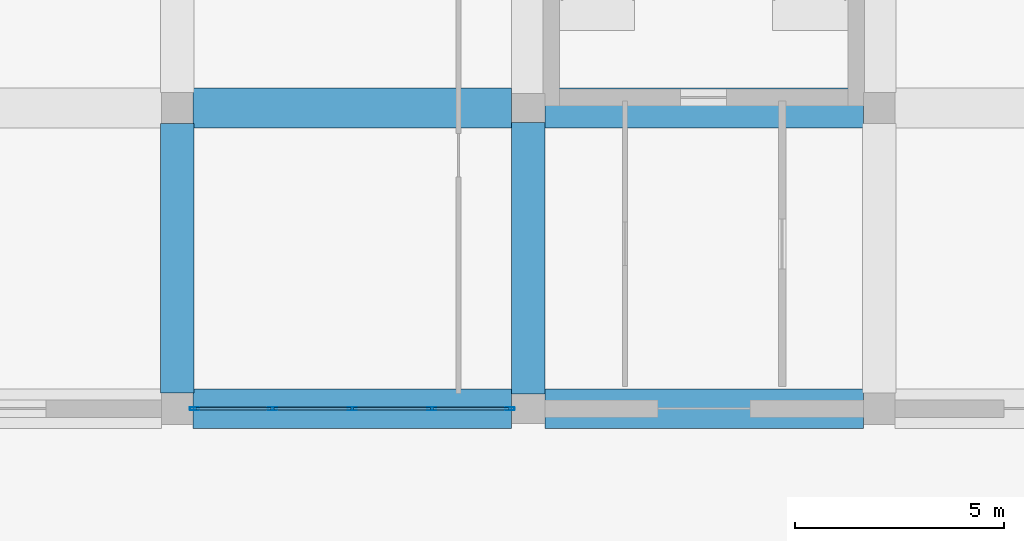
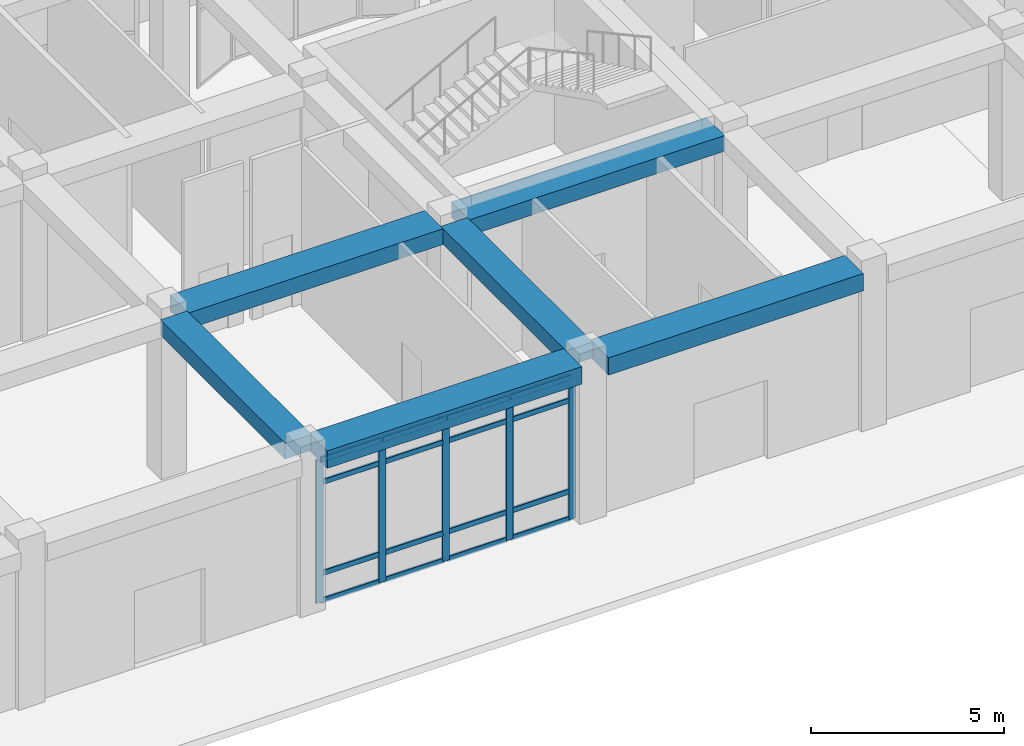
# One storey, part 8 of 84: 21 members, 6 beams, 1 element without a shape of its own.
"""IFC4 building model written with IfcOpenShell, lengths in metres."""

import ifcopenshell
import ifcopenshell.guid

model = None  # the IFC model being written
_history = None  # IfcOwnerHistory: only IFC2X3 demands one
_inside = {}  # id of a spatial element -> (the spatial element, [elements in it])
_under = {}  # id of a project, library or spatial element -> (it, [spatial elements below it])
_declared = {}  # id of a project -> (the project, [libraries it declares])
_typed = {}  # id of a type object -> (the type object, [elements of that type])
_made_of = {}  # id of a material, layer set ... -> (it, [elements and type objects made of it])


def new_model(schema):
    """Start an empty IFC model of exactly this schema.

    Asked for "IFC4X3", IfcOpenShell would pick the latest addendum, in which some entities
    have other attributes; the version numbers below select the first issue.
    IFC2X3 requires an IfcOwnerHistory on every rooted entity: one is made here for all.
    """
    global model, _history
    if schema == "IFC4X3":
        model = ifcopenshell.file(schema_version=(4, 3, 0, 0))
    else:
        model = ifcopenshell.file(schema=schema)
    _inside.clear()
    _under.clear()
    _declared.clear()
    _typed.clear()
    _made_of.clear()
    _history = None
    if model.schema == "IFC2X3":
        org = make("IfcOrganization", Name="unknown")
        user = make(
            "IfcPersonAndOrganization",
            ThePerson=make("IfcPerson", FamilyName="unknown"),
            TheOrganization=org,
        )
        app = make(
            "IfcApplication",
            ApplicationDeveloper=org,
            Version="unknown",
            ApplicationFullName="unknown",
            ApplicationIdentifier="unknown",
        )
        _history = make(
            "IfcOwnerHistory",
            OwningUser=user,
            OwningApplication=app,
            ChangeAction="ADDED",
            CreationDate=0,
        )
    return model


def make(cls, **values):
    """One entity of the class cls with the attributes given. An attribute that is None is left unset."""
    return model.create_entity(
        cls, **{name: value for name, value in values.items() if value is not None}
    )


def rooted(cls, **values):
    """An entity with a GlobalId (a new one), such as an element, a storey or a relation."""
    return make(cls, GlobalId=ifcopenshell.guid.new(), OwnerHistory=_history, **values)


def si_unit(unit_type, name, prefix=None):
    """IfcSIUnit, for example si_unit("LENGTHUNIT", "METRE", prefix="MILLI")."""
    return make("IfcSIUnit", UnitType=unit_type, Prefix=prefix, Name=name)


def derived_unit(unit_type, elements):
    """IfcDerivedUnit: a product of units, each with its exponent."""
    return make(
        "IfcDerivedUnit",
        Elements=[
            make("IfcDerivedUnitElement", Unit=unit, Exponent=power)
            for unit, power in elements
        ],
        UnitType=unit_type,
    )


def assignment(units):
    """IfcUnitAssignment: the units of a project."""
    return None if units is None else make("IfcUnitAssignment", Units=units)


def point(xyz):
    """IfcCartesianPoint."""
    return None if xyz is None else make("IfcCartesianPoint", Coordinates=xyz)


def direction(xyz):
    """IfcDirection."""
    return None if xyz is None else make("IfcDirection", DirectionRatios=xyz)


def frame(location, z_axis=None, x_axis=None):
    """IfcAxis2Placement3D, a coordinate frame: its origin and axes. An axis left out is left unset."""
    return make(
        "IfcAxis2Placement3D",
        Location=point(location),
        Axis=direction(z_axis),
        RefDirection=direction(x_axis),
    )


def frame_2d(location, x_axis=None):
    """IfcAxis2Placement2D, a coordinate frame in the plane: its origin and x axis."""
    return make(
        "IfcAxis2Placement2D", Location=point(location), RefDirection=direction(x_axis)
    )


def origin():
    """The frame at (0, 0, 0) with its axes left unset."""
    return frame((0.0, 0.0, 0.0))


def origin_2d():
    """The frame at (0, 0) in the plane with its x axis left unset."""
    return frame_2d((0.0, 0.0))


def place(relative_to, where):
    """IfcLocalPlacement: puts the frame where relative to a parent placement (None: the world)."""
    return make(
        "IfcLocalPlacement", PlacementRelTo=relative_to, RelativePlacement=where
    )


def context(
    kind, dimensions, precision=None, world=None, true_north=None, identifier=None
):
    """IfcGeometricRepresentationContext, for example the 3D "Model" context."""
    return make(
        "IfcGeometricRepresentationContext",
        ContextIdentifier=identifier,
        ContextType=kind,
        CoordinateSpaceDimension=dimensions,
        Precision=precision,
        WorldCoordinateSystem=world,
        TrueNorth=true_north,
    )


def subcontext(parent, identifier, kind, view, scale=None):
    """IfcGeometricRepresentationSubContext, for example "Body" below "Model"."""
    return make(
        "IfcGeometricRepresentationSubContext",
        ContextIdentifier=identifier,
        ContextType=kind,
        ParentContext=parent,
        TargetScale=scale,
        TargetView=view,
    )


def project(units=None, contexts=None):
    """IfcProject with its units and contexts."""
    return rooted(
        "IfcProject",
        Name="project",
        RepresentationContexts=contexts,
        UnitsInContext=assignment(units),
    )


def spatial(cls, under=None, at=None, **own):
    """A site, building, storey or space (cls), placed at a placement, below another one or the project."""
    s = rooted(cls, ObjectPlacement=at, **own)
    if under is not None:
        _under.setdefault(under.id(), (under, []))[1].append(s)
    return s


def profile(cls, at=None, kind="AREA", **sizes):
    """A parametric profile (cls). Its sizes go by their IFC names, for example OverallWidth=200.0."""
    return make(cls, ProfileType=kind, Position=at, **sizes)


def rectangle(**sizes):
    """IfcRectangleProfileDef."""
    return profile("IfcRectangleProfileDef", **sizes)


def hollow_rectangle(**sizes):
    """IfcRectangleHollowProfileDef."""
    return profile("IfcRectangleHollowProfileDef", **sizes)


def extrude(swept, where, along, depth):
    """IfcExtrudedAreaSolid: the profile swept, set in the frame where, extruded along a direction by depth."""
    return make(
        "IfcExtrudedAreaSolid",
        SweptArea=swept,
        Position=where,
        ExtrudedDirection=direction(along),
        Depth=depth,
    )


def shape(context_of_items, identifier, shape_type, items):
    """IfcShapeRepresentation: the items that make up one representation, for example the "Body"."""
    return make(
        "IfcShapeRepresentation",
        ContextOfItems=context_of_items,
        RepresentationIdentifier=identifier,
        RepresentationType=shape_type,
        Items=items,
    )


def material(Name=None, Category=None):
    """IfcMaterial."""
    return make("IfcMaterial", Name=Name, Category=Category)


def material_profile(
    of_material, cross_section, Name=None, Category=None, Priority=None
):
    """IfcMaterialProfile: a cross section and its material."""
    return make(
        "IfcMaterialProfile",
        Name=Name,
        Material=of_material,
        Profile=cross_section,
        Priority=Priority,
        Category=Category,
    )


def profile_set(profiles, Name=None, composite=None):
    """IfcMaterialProfileSet."""
    return make(
        "IfcMaterialProfileSet",
        Name=Name,
        MaterialProfiles=profiles,
        CompositeProfile=composite,
    )


def made_of(thing, what):
    """Note that an element or type object is made of a material, layer set ...; save() writes the relation."""
    if what is not None:
        _made_of.setdefault(what.id(), (what, []))[1].append(thing)
    return thing


def type_object(cls, material=None, **own):
    """A type object (cls), such as IfcWallType, which elements share."""
    return made_of(rooted(cls, **own), material)


def element(
    cls,
    number,
    at=None,
    inside=None,
    cuts=None,
    type_object=None,
    material=None,
    context=None,
    identifier="Body",
    shape_type=None,
    held_by="IfcProductDefinitionShape",
    body=None,
    shapes=None,
    **own,
):
    """One element of the class cls, such as IfcWall. Its Tag is "e" and its number.

    at: its placement. inside: the storey or other place that contains it. cuts: it is an
    opening in that element (IfcRelVoidsElement). A single representation is given by context,
    identifier, shape_type and body (its items); several are given by shapes. held_by: the class
    of the entity that holds the representations. save() writes the other relations.
    """
    e = rooted(cls, Tag="e%d" % number, ObjectPlacement=at, **own)
    if body is not None:
        shapes = [shape(context, identifier, shape_type, body)]
    if shapes is not None:
        e.Representation = make(held_by, Representations=shapes)
    if inside is not None:
        _inside.setdefault(inside.id(), (inside, []))[1].append(e)
    if cuts is not None:
        rooted(
            "IfcRelVoidsElement", RelatingBuildingElement=cuts, RelatedOpeningElement=e
        )
    if type_object is not None:
        _typed.setdefault(type_object.id(), (type_object, []))[1].append(e)
    return made_of(e, material)


def aggregate(whole, parts):
    """IfcRelAggregates: a whole, such as a stair, and the parts it consists of."""
    return rooted("IfcRelAggregates", RelatingObject=whole, RelatedObjects=parts)


def save(model, path):
    """Write the relations noted so far, then the file.

    IfcRelAggregates (storeys below a building ...), IfcRelContainedInSpatialStructure (elements
    in a storey), IfcRelDefinesByType, IfcRelAssociatesMaterial and IfcRelDeclares: one each for
    every whole, place, type object, material and project.
    """
    for whole, parts in _under.values():
        aggregate(whole, parts)
    for where, things in _inside.values():
        rooted(
            "IfcRelContainedInSpatialStructure",
            RelatedElements=things,
            RelatingStructure=where,
        )
    for kind, things in _typed.values():
        rooted("IfcRelDefinesByType", RelatedObjects=things, RelatingType=kind)
    for what, things in _made_of.values():
        rooted("IfcRelAssociatesMaterial", RelatedObjects=things, RelatingMaterial=what)
    for by, libraries in _declared.values():
        rooted("IfcRelDeclares", RelatingContext=by, RelatedDefinitions=libraries)
    model.write(path)


model = new_model("IFC4")

# Units and contexts
model_context = context("Model", 3, precision=1e-05, world=origin(), true_north=direction((0.0, 1.0)))
body_context = subcontext(model_context, "Body", "Model", "MODEL_VIEW")
ifc_project = project(units=[si_unit("LENGTHUNIT", "METRE"), si_unit("AREAUNIT", "SQUARE_METRE"), si_unit("VOLUMEUNIT", "CUBIC_METRE"), si_unit("PLANEANGLEUNIT", "RADIAN"), si_unit("MASSUNIT", "GRAM", prefix="KILO"), derived_unit("THERMALTRANSMITTANCEUNIT", [(si_unit("POWERUNIT", "WATT"), 1), (si_unit("LENGTHUNIT", "METRE"), -2), (si_unit("THERMODYNAMICTEMPERATUREUNIT", "KELVIN"), -1)])], contexts=[model_context])

# Site, building, storey
site_placement = place(None, origin())
site = spatial("IfcSite", under=ifc_project, at=site_placement, CompositionType="ELEMENT")
building_placement = place(site_placement, origin())
building = spatial("IfcBuilding", under=site, at=building_placement, Name="Veybourne Emporium", CompositionType="ELEMENT")
storey_placement = place(building_placement, origin())
storey = spatial("IfcBuildingStorey", under=building, at=storey_placement, Name="L00", CompositionType="ELEMENT", Elevation=0.0)

# Curtain wall, members
ifc_material_1 = material(Name="Patinated Architectural Bronze", Category="bronze")
curtain_wall_type = type_object("IfcCurtainWallType", Name="CWSystem_CWS-04", PredefinedType="NOTDEFINED", material=ifc_material_1)
curtain_wall_placement = place(storey_placement, origin())
curtain_wall = element("IfcCurtainWall", 1, at=curtain_wall_placement, inside=storey, type_object=curtain_wall_type, Name="L00 bronze glazed curtain wall CWS-04 (033)", PredefinedType="NOTDEFINED")
ifc_material_profile_1 = material_profile(ifc_material_1, hollow_rectangle(XDim=0.070068359375, YDim=0.219970703125, WallThickness=0.0048828125, InnerFilletRadius=0.007568359375, OuterFilletRadius=0.012451171875, at=origin_2d()), Name="CWM 70x220x5")
ifc_profile_set_1 = profile_set([ifc_material_profile_1], Name="Patinated Architectural Bronze")
member_type_1 = type_object("IfcMemberType", Name="CWMullion_CW-M4", PredefinedType="MULLION", material=ifc_profile_set_1)
member_1_placement = place(storey_placement, frame((75.1650390625, 0.0, 0.0), z_axis=(0.0, 0.0, 1.0), x_axis=(0.0, -1.0, 0.0)))
member_1 = element("IfcMember", 2, at=member_1_placement, type_object=member_type_1, Name="CWS-04 mullion 1", PredefinedType="MULLION", context=body_context, shape_type="SweptSolid", body=[
    extrude(hollow_rectangle(XDim=0.070068359375, YDim=0.219970703125, WallThickness=0.0048828125, InnerFilletRadius=0.007568359375, OuterFilletRadius=0.012451171875, at=origin_2d()), origin(), (0.0, 0.0, 1.0), 4.530029296875),
])
member_2_placement = place(storey_placement, frame((73.293701171875, 0.0, 0.0), z_axis=(0.0, 0.0, 1.0), x_axis=(0.0, -1.0, 0.0)))
member_2 = element("IfcMember", 3, at=member_2_placement, type_object=member_type_1, Name="CWS-04 mullion 2", PredefinedType="MULLION", context=body_context, shape_type="SweptSolid", body=[
    extrude(hollow_rectangle(XDim=0.070068359375, YDim=0.219970703125, WallThickness=0.0048828125, InnerFilletRadius=0.007568359375, OuterFilletRadius=0.012451171875, at=origin_2d()), origin(), (0.0, 0.0, 1.0), 4.530029296875),
])
member_3_placement = place(storey_placement, frame((71.387451171875, 0.0, 0.0), z_axis=(0.0, 0.0, 1.0), x_axis=(0.0, -1.0, 0.0)))
member_3 = element("IfcMember", 4, at=member_3_placement, type_object=member_type_1, Name="CWS-04 mullion 3", PredefinedType="MULLION", context=body_context, shape_type="SweptSolid", body=[
    extrude(hollow_rectangle(XDim=0.070068359375, YDim=0.219970703125, WallThickness=0.0048828125, InnerFilletRadius=0.007568359375, OuterFilletRadius=0.012451171875, at=origin_2d()), origin(), (0.0, 0.0, 1.0), 4.530029296875),
])
member_4_placement = place(storey_placement, frame((69.481201171875, 0.0, 0.0), z_axis=(0.0, 0.0, 1.0), x_axis=(0.0, -1.0, 0.0)))
member_4 = element("IfcMember", 5, at=member_4_placement, type_object=member_type_1, Name="CWS-04 mullion 4", PredefinedType="MULLION", context=body_context, shape_type="SweptSolid", body=[
    extrude(hollow_rectangle(XDim=0.070068359375, YDim=0.219970703125, WallThickness=0.0048828125, InnerFilletRadius=0.007568359375, OuterFilletRadius=0.012451171875, at=origin_2d()), origin(), (0.0, 0.0, 1.0), 4.530029296875),
])
member_5_placement = place(storey_placement, frame((67.610107421875, 0.0, 0.0), z_axis=(0.0, 0.0, 1.0), x_axis=(0.0, -1.0, 0.0)))
member_5 = element("IfcMember", 6, at=member_5_placement, type_object=member_type_1, Name="CWS-04 mullion 5", PredefinedType="MULLION", context=body_context, shape_type="SweptSolid", body=[
    extrude(hollow_rectangle(XDim=0.070068359375, YDim=0.219970703125, WallThickness=0.0048828125, InnerFilletRadius=0.007568359375, OuterFilletRadius=0.012451171875, at=origin_2d()), origin(), (0.0, 0.0, 1.0), 4.530029296875),
])
ifc_material_profile_2 = material_profile(ifc_material_1, hollow_rectangle(XDim=0.070068359375, YDim=0.169921875, WallThickness=0.0048828125, InnerFilletRadius=0.007568359375, OuterFilletRadius=0.012451171875, at=origin_2d()), Name="CWT 70x170x5")
ifc_profile_set_2 = profile_set([ifc_material_profile_2], Name="Patinated Architectural Bronze")
member_type_2 = type_object("IfcMemberType", Name="CWTransom_CW-T4", PredefinedType="NOTDEFINED", material=ifc_profile_set_2)
member_6_placement = place(storey_placement, frame((75.1298828125, 0.0, 0.034912109375), z_axis=(-1.0, 0.0, 0.0), x_axis=(0.0, -1.0, 0.0)))
member_6 = element("IfcMember", 7, at=member_6_placement, type_object=member_type_2, Name="CWS-04 transom 1.1", ObjectType="TRANSOM", PredefinedType="USERDEFINED", context=body_context, shape_type="SweptSolid", body=[
    extrude(hollow_rectangle(XDim=0.070068359375, YDim=0.169921875, WallThickness=0.0048828125, InnerFilletRadius=0.007568359375, OuterFilletRadius=0.012451171875, at=origin_2d()), origin(), (0.0, 0.0, 1.0), 1.801025390625),
])
member_7_placement = place(storey_placement, frame((75.1298828125, 0.0, 0.89990234375), z_axis=(-1.0, 0.0, 0.0), x_axis=(0.0, -1.0, 0.0)))
member_7 = element("IfcMember", 8, at=member_7_placement, type_object=member_type_2, Name="CWS-04 transom 1.2", ObjectType="TRANSOM", PredefinedType="USERDEFINED", context=body_context, shape_type="SweptSolid", body=[
    extrude(hollow_rectangle(XDim=0.070068359375, YDim=0.169921875, WallThickness=0.0048828125, InnerFilletRadius=0.007568359375, OuterFilletRadius=0.012451171875, at=origin_2d()), origin(), (0.0, 0.0, 1.0), 1.801025390625),
])
member_8_placement = place(storey_placement, frame((75.1298828125, 0.0, 3.780029296875), z_axis=(-1.0, 0.0, 0.0), x_axis=(0.0, -1.0, 0.0)))
member_8 = element("IfcMember", 9, at=member_8_placement, type_object=member_type_2, Name="CWS-04 transom 1.3", ObjectType="TRANSOM", PredefinedType="USERDEFINED", context=body_context, shape_type="SweptSolid", body=[
    extrude(hollow_rectangle(XDim=0.070068359375, YDim=0.169921875, WallThickness=0.0048828125, InnerFilletRadius=0.007568359375, OuterFilletRadius=0.012451171875, at=origin_2d()), origin(), (0.0, 0.0, 1.0), 1.801025390625),
])
member_9_placement = place(storey_placement, frame((75.1298828125, 0.0, 4.4951171875), z_axis=(-1.0, 0.0, 0.0), x_axis=(0.0, -1.0, 0.0)))
member_9 = element("IfcMember", 10, at=member_9_placement, type_object=member_type_2, Name="CWS-04 transom 1.4", ObjectType="TRANSOM", PredefinedType="USERDEFINED", context=body_context, shape_type="SweptSolid", body=[
    extrude(hollow_rectangle(XDim=0.070068359375, YDim=0.169921875, WallThickness=0.0048828125, InnerFilletRadius=0.007568359375, OuterFilletRadius=0.012451171875, at=origin_2d()), origin(), (0.0, 0.0, 1.0), 1.801025390625),
])
member_10_placement = place(storey_placement, frame((73.2587890625, 0.0, 0.034912109375), z_axis=(-1.0, 0.0, 0.0), x_axis=(0.0, -1.0, 0.0)))
member_10 = element("IfcMember", 11, at=member_10_placement, type_object=member_type_2, Name="CWS-04 transom 2.1", ObjectType="TRANSOM", PredefinedType="USERDEFINED", context=body_context, shape_type="SweptSolid", body=[
    extrude(hollow_rectangle(XDim=0.070068359375, YDim=0.169921875, WallThickness=0.0048828125, InnerFilletRadius=0.007568359375, OuterFilletRadius=0.012451171875, at=origin_2d()), origin(), (0.0, 0.0, 1.0), 1.836181640625),
])
member_11_placement = place(storey_placement, frame((73.2587890625, 0.0, 0.89990234375), z_axis=(-1.0, 0.0, 0.0), x_axis=(0.0, -1.0, 0.0)))
member_11 = element("IfcMember", 12, at=member_11_placement, type_object=member_type_2, Name="CWS-04 transom 2.2", ObjectType="TRANSOM", PredefinedType="USERDEFINED", context=body_context, shape_type="SweptSolid", body=[
    extrude(hollow_rectangle(XDim=0.070068359375, YDim=0.169921875, WallThickness=0.0048828125, InnerFilletRadius=0.007568359375, OuterFilletRadius=0.012451171875, at=origin_2d()), origin(), (0.0, 0.0, 1.0), 1.836181640625),
])
member_12_placement = place(storey_placement, frame((73.2587890625, 0.0, 3.780029296875), z_axis=(-1.0, 0.0, 0.0), x_axis=(0.0, -1.0, 0.0)))
member_12 = element("IfcMember", 13, at=member_12_placement, type_object=member_type_2, Name="CWS-04 transom 2.3", ObjectType="TRANSOM", PredefinedType="USERDEFINED", context=body_context, shape_type="SweptSolid", body=[
    extrude(hollow_rectangle(XDim=0.070068359375, YDim=0.169921875, WallThickness=0.0048828125, InnerFilletRadius=0.007568359375, OuterFilletRadius=0.012451171875, at=origin_2d()), origin(), (0.0, 0.0, 1.0), 1.836181640625),
])
member_13_placement = place(storey_placement, frame((73.2587890625, 0.0, 4.4951171875), z_axis=(-1.0, 0.0, 0.0), x_axis=(0.0, -1.0, 0.0)))
member_13 = element("IfcMember", 14, at=member_13_placement, type_object=member_type_2, Name="CWS-04 transom 2.4", ObjectType="TRANSOM", PredefinedType="USERDEFINED", context=body_context, shape_type="SweptSolid", body=[
    extrude(hollow_rectangle(XDim=0.070068359375, YDim=0.169921875, WallThickness=0.0048828125, InnerFilletRadius=0.007568359375, OuterFilletRadius=0.012451171875, at=origin_2d()), origin(), (0.0, 0.0, 1.0), 1.836181640625),
])
member_14_placement = place(storey_placement, frame((71.3525390625, 0.0, 0.034912109375), z_axis=(-1.0, 0.0, 0.0), x_axis=(0.0, -1.0, 0.0)))
member_14 = element("IfcMember", 15, at=member_14_placement, type_object=member_type_2, Name="CWS-04 transom 3.1", ObjectType="TRANSOM", PredefinedType="USERDEFINED", context=body_context, shape_type="SweptSolid", body=[
    extrude(hollow_rectangle(XDim=0.070068359375, YDim=0.169921875, WallThickness=0.0048828125, InnerFilletRadius=0.007568359375, OuterFilletRadius=0.012451171875, at=origin_2d()), origin(), (0.0, 0.0, 1.0), 1.836181640625),
])
member_15_placement = place(storey_placement, frame((71.3525390625, 0.0, 0.89990234375), z_axis=(-1.0, 0.0, 0.0), x_axis=(0.0, -1.0, 0.0)))
member_15 = element("IfcMember", 16, at=member_15_placement, type_object=member_type_2, Name="CWS-04 transom 3.2", ObjectType="TRANSOM", PredefinedType="USERDEFINED", context=body_context, shape_type="SweptSolid", body=[
    extrude(hollow_rectangle(XDim=0.070068359375, YDim=0.169921875, WallThickness=0.0048828125, InnerFilletRadius=0.007568359375, OuterFilletRadius=0.012451171875, at=origin_2d()), origin(), (0.0, 0.0, 1.0), 1.836181640625),
])
member_16_placement = place(storey_placement, frame((71.3525390625, 0.0, 3.780029296875), z_axis=(-1.0, 0.0, 0.0), x_axis=(0.0, -1.0, 0.0)))
member_16 = element("IfcMember", 17, at=member_16_placement, type_object=member_type_2, Name="CWS-04 transom 3.3", ObjectType="TRANSOM", PredefinedType="USERDEFINED", context=body_context, shape_type="SweptSolid", body=[
    extrude(hollow_rectangle(XDim=0.070068359375, YDim=0.169921875, WallThickness=0.0048828125, InnerFilletRadius=0.007568359375, OuterFilletRadius=0.012451171875, at=origin_2d()), origin(), (0.0, 0.0, 1.0), 1.836181640625),
])
member_17_placement = place(storey_placement, frame((71.3525390625, 0.0, 4.4951171875), z_axis=(-1.0, 0.0, 0.0), x_axis=(0.0, -1.0, 0.0)))
member_17 = element("IfcMember", 18, at=member_17_placement, type_object=member_type_2, Name="CWS-04 transom 3.4", ObjectType="TRANSOM", PredefinedType="USERDEFINED", context=body_context, shape_type="SweptSolid", body=[
    extrude(hollow_rectangle(XDim=0.070068359375, YDim=0.169921875, WallThickness=0.0048828125, InnerFilletRadius=0.007568359375, OuterFilletRadius=0.012451171875, at=origin_2d()), origin(), (0.0, 0.0, 1.0), 1.836181640625),
])
member_18_placement = place(storey_placement, frame((69.4462890625, 0.0, 0.034912109375), z_axis=(-1.0, 0.0, 0.0), x_axis=(0.0, -1.0, 0.0)))
member_18 = element("IfcMember", 19, at=member_18_placement, type_object=member_type_2, Name="CWS-04 transom 4.1", ObjectType="TRANSOM", PredefinedType="USERDEFINED", context=body_context, shape_type="SweptSolid", body=[
    extrude(hollow_rectangle(XDim=0.070068359375, YDim=0.169921875, WallThickness=0.0048828125, InnerFilletRadius=0.007568359375, OuterFilletRadius=0.012451171875, at=origin_2d()), origin(), (0.0, 0.0, 1.0), 1.80126953125),
])
member_19_placement = place(storey_placement, frame((69.4462890625, 0.0, 0.89990234375), z_axis=(-1.0, 0.0, 0.0), x_axis=(0.0, -1.0, 0.0)))
member_19 = element("IfcMember", 20, at=member_19_placement, type_object=member_type_2, Name="CWS-04 transom 4.2", ObjectType="TRANSOM", PredefinedType="USERDEFINED", context=body_context, shape_type="SweptSolid", body=[
    extrude(hollow_rectangle(XDim=0.070068359375, YDim=0.169921875, WallThickness=0.0048828125, InnerFilletRadius=0.007568359375, OuterFilletRadius=0.012451171875, at=origin_2d()), origin(), (0.0, 0.0, 1.0), 1.80126953125),
])
member_20_placement = place(storey_placement, frame((69.4462890625, 0.0, 3.780029296875), z_axis=(-1.0, 0.0, 0.0), x_axis=(0.0, -1.0, 0.0)))
member_20 = element("IfcMember", 21, at=member_20_placement, type_object=member_type_2, Name="CWS-04 transom 4.3", ObjectType="TRANSOM", PredefinedType="USERDEFINED", context=body_context, shape_type="SweptSolid", body=[
    extrude(hollow_rectangle(XDim=0.070068359375, YDim=0.169921875, WallThickness=0.0048828125, InnerFilletRadius=0.007568359375, OuterFilletRadius=0.012451171875, at=origin_2d()), origin(), (0.0, 0.0, 1.0), 1.80126953125),
])
member_21_placement = place(storey_placement, frame((69.4462890625, 0.0, 4.4951171875), z_axis=(-1.0, 0.0, 0.0), x_axis=(0.0, -1.0, 0.0)))
member_21 = element("IfcMember", 22, at=member_21_placement, type_object=member_type_2, Name="CWS-04 transom 4.4", ObjectType="TRANSOM", PredefinedType="USERDEFINED", context=body_context, shape_type="SweptSolid", body=[
    extrude(hollow_rectangle(XDim=0.070068359375, YDim=0.169921875, WallThickness=0.0048828125, InnerFilletRadius=0.007568359375, OuterFilletRadius=0.012451171875, at=origin_2d()), origin(), (0.0, 0.0, 1.0), 1.80126953125),
])
aggregate(curtain_wall, [member_1, member_2, member_3, member_4, member_5, member_6, member_7, member_8, member_9, member_10, member_11, member_12, member_13, member_14, member_15, member_16, member_17, member_18, member_19, member_20, member_21])

# Beams
ifc_material_2 = material(Name="Concrete C32/40", Category="concrete")
ifc_material_profile_3 = material_profile(ifc_material_2, rectangle(XDim=0.949951171875, YDim=0.5, at=origin_2d()), Name="RC 950x500")
ifc_profile_set_3 = profile_set([ifc_material_profile_3], Name="Concrete C32/40")
beam_type_1 = type_object("IfcBeamType", Name="RCBeam_BB-01", PredefinedType="BEAM", material=ifc_profile_set_3)
for number, where, z_axis, x_axis, name in (
    (23, (67.574951171875, 7.199951171875, 4.830078125), (1.0, 0.0, 0.0), (0.0, 1.0, 0.0), "L00 X-grid beam BB-01 (8,1)"),
    (24, (76.0, 7.199951171875, 4.830078125), (1.0, 0.0, 0.0), (0.0, 1.0, 0.0), "L00 X-grid beam BB-01 (9,1)"),
):
    element("IfcBeam", number, at=place(storey_placement, frame(where, z_axis=z_axis, x_axis=x_axis)), inside=storey, type_object=beam_type_1, Name=name, PredefinedType="BEAM", context=body_context, shape_type="SweptSolid", body=[
        extrude(rectangle(XDim=0.949951171875, YDim=0.5, at=origin_2d()), origin(), (0.0, 0.0, 1.0), 7.625),
    ])
ifc_material_profile_4 = material_profile(ifc_material_2, rectangle(XDim=0.800048828125, YDim=0.5, at=origin_2d()), Name="RC 800x500")
ifc_profile_set_4 = profile_set([ifc_material_profile_4], Name="Concrete C32/40")
beam_type_2 = type_object("IfcBeamType", Name="RCBeam_BB-02", PredefinedType="BEAM", material=ifc_profile_set_4)
beam_1_placement = place(storey_placement, frame((67.199951171875, 0.375, 4.830078125), z_axis=(0.0, 1.0, 0.0), x_axis=(-1.0, 0.0, 0.0)))
element("IfcBeam", 25, at=beam_1_placement, inside=storey, type_object=beam_type_2, Name="L00 Y-grid beam BB-02 (8,0)", PredefinedType="BEAM", context=body_context, shape_type="SweptSolid", body=[
    extrude(rectangle(XDim=0.800048828125, YDim=0.5, at=origin_2d()), origin(), (0.0, 0.0, 1.0), 6.449951171875),
])
beam_2_placement = place(storey_placement, frame((75.60009765625, 0.35009765625, 4.830078125), z_axis=(0.0, 1.0, 0.0), x_axis=(-1.0, 0.0, 0.0)))
element("IfcBeam", 26, at=beam_2_placement, inside=storey, type_object=beam_type_2, Name="L00 Y-grid beam BB-02 (9,0)", PredefinedType="BEAM", context=body_context, shape_type="SweptSolid", body=[
    extrude(rectangle(XDim=0.800048828125, YDim=0.5, at=origin_2d()), origin(), (0.0, 0.0, 1.0), 6.5),
])
ifc_material_profile_5 = material_profile(ifc_material_2, rectangle(XDim=0.949951171875, YDim=0.550048828125, at=origin_2d()), Name="RC 950x550")
ifc_profile_set_5 = profile_set([ifc_material_profile_5], Name="Concrete C32/40")
beam_type_3 = type_object("IfcBeamType", Name="RCBeam_EB-01", PredefinedType="SPANDREL", material=ifc_profile_set_5)
for number, where, z_axis, x_axis, name in (
    (27, (67.574951171875, 0.0, 4.804931640625), (1.0, 0.0, 0.0), (0.0, 1.0, 0.0), "L00 X-grid beam EB-01 (8,0)"),
    (28, (76.0, 0.0, 4.804931640625), (1.0, 0.0, 0.0), (0.0, 1.0, 0.0), "L00 X-grid beam EB-01 (9,0)"),
):
    element("IfcBeam", number, at=place(storey_placement, frame(where, z_axis=z_axis, x_axis=x_axis)), inside=storey, type_object=beam_type_3, Name=name, PredefinedType="SPANDREL", context=body_context, shape_type="SweptSolid", body=[
        extrude(rectangle(XDim=0.949951171875, YDim=0.550048828125, at=origin_2d()), origin(), (0.0, 0.0, 1.0), 7.625),
    ])

save(model, "model.ifc")
